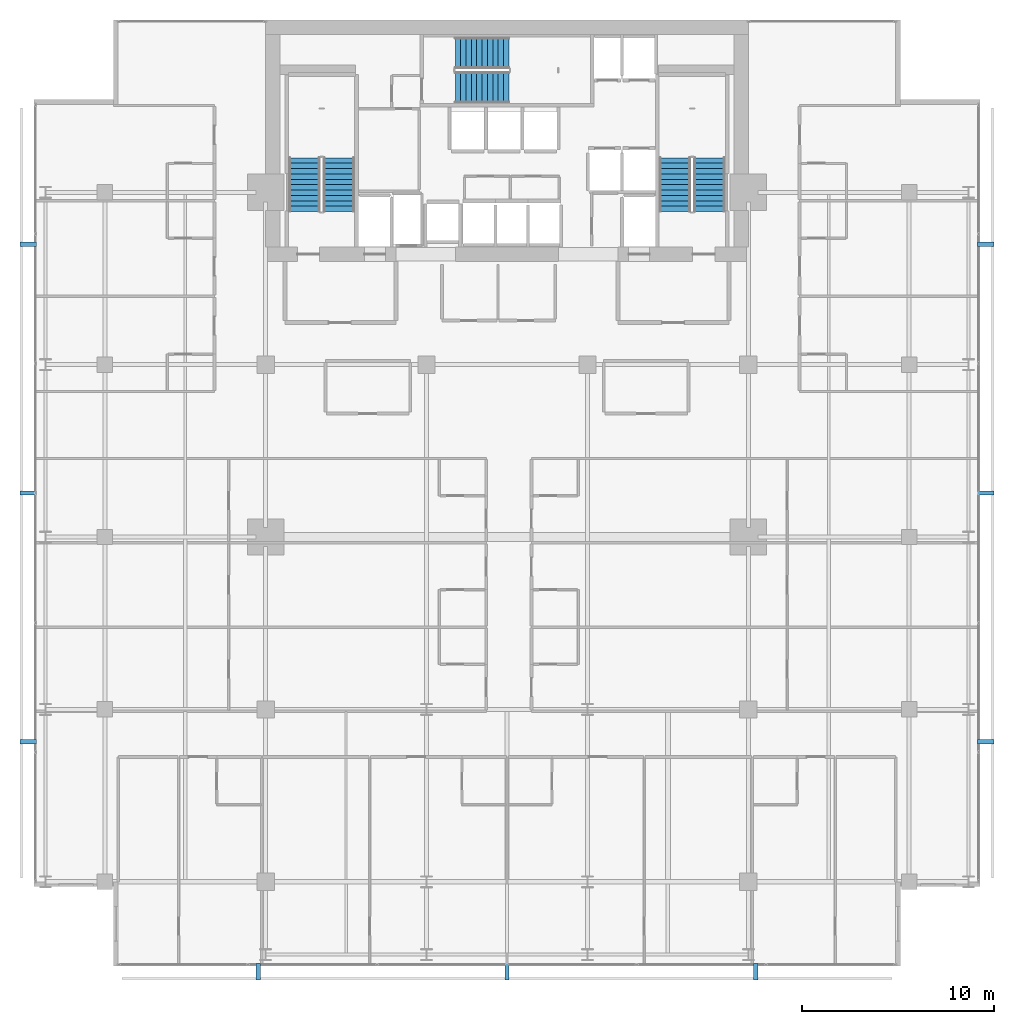
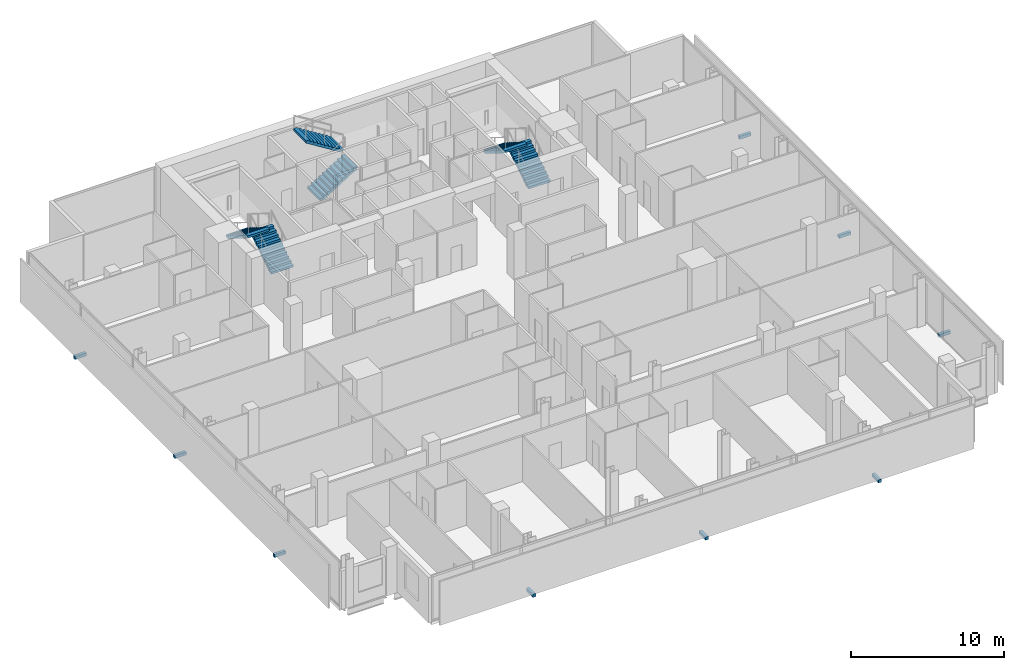
# One storey, part 32 of 34: 9 discrete accessories, 6 stair flights, 3 elements without a shape of their own.
"""IFC4 building model written with IfcOpenShell, lengths in metres."""

from ifc_helpers import new_model, si_unit, direction, frame, origin, origin_2d, place, context, subcontext, project, spatial, polyline, rectangle, outline, extrude, material, type_object, element, aggregate, save


model = new_model("IFC4")

# Units and contexts
model_context = context("Model", 3, precision=1e-05, world=origin(), true_north=direction((0.0, 1.0)))
body_context = subcontext(model_context, "Body", "Model", "MODEL_VIEW")
ifc_project = project(units=[si_unit("LENGTHUNIT", "METRE"), si_unit("AREAUNIT", "SQUARE_METRE"), si_unit("VOLUMEUNIT", "CUBIC_METRE"), si_unit("PLANEANGLEUNIT", "RADIAN"), si_unit("MASSUNIT", "GRAM", prefix="KILO")], contexts=[model_context])

# Site, building, storey
site_placement = place(None, origin())
site = spatial("IfcSite", under=ifc_project, at=site_placement, CompositionType="ELEMENT")
building_placement = place(site_placement, origin())
building = spatial("IfcBuilding", under=site, at=building_placement, Name="Maruvema Waterfront Hotel and Observation Tower", CompositionType="ELEMENT")
storey_placement = place(building_placement, frame((0.0, 0.0, 215.949951171875)))
storey = spatial("IfcBuildingStorey", under=building, at=storey_placement, Name="L53", CompositionType="ELEMENT", Elevation=215.949951171875)

# Stair, stair flights
ifc_material_1 = material(Name="Concrete C50/60", Category="concrete")
stair_type = type_object("IfcStairType", Name="Dogleg Exit Stair 1650 mm (22R x 175.0 mm)", PredefinedType="HALF_TURN_STAIR", material=ifc_material_1)
stair_1_placement = place(storey_placement, origin())
stair_1 = element("IfcStair", 1, at=stair_1_placement, inside=storey, type_object=stair_type, Name="L53 ST-01", PredefinedType="HALF_TURN_STAIR")
ifc_material_2 = material(Name="Concrete C50/60", Category="concrete")
stair_flight_type = type_object("IfcStairFlightType", Name="Reinforced Concrete Stair Flight 1650 mm (11R x 175.0 mm)", PredefinedType="STRAIGHT", material=ifc_material_2)
stair_flight_1_placement = place(storey_placement, frame((29.02490234375, 44.0, 0.0), z_axis=(0.0, 0.0, 1.0), x_axis=(0.0, 1.0, 0.0)))
stair_flight_1 = element("IfcStairFlight", 2, at=stair_flight_1_placement, type_object=stair_flight_type, Name="ST-01 flight 1", NumberOfRisers=11, NumberOfTreads=10, PredefinedType="STRAIGHT", RiserHeight=0.175, TreadLength=0.28, context=body_context, shape_type="SweptSolid", body=[
    extrude(outline(polyline([(0.0, 0.0), (0.0, 0.175048828125), (0.280029296875, 0.175048828125), (0.280029296875, 0.35009765625), (0.56005859375, 0.35009765625), (0.56005859375, 0.52490234375), (0.840087890625, 0.52490234375), (0.840087890625, 0.699951171875), (1.1201171875, 0.699951171875), (1.1201171875, 0.875), (1.39990234375, 0.875), (1.39990234375, 1.050048828125), (1.679931640625, 1.050048828125), (1.679931640625, 1.22509765625), (1.9599609375, 1.22509765625), (1.9599609375, 1.39990234375), (2.239990234375, 1.39990234375), (2.239990234375, 1.574951171875), (2.52001953125, 1.574951171875), (2.52001953125, 1.75), (2.800048828125, 1.75), (2.800048828125, 1.925048828125), (2.800048828125, 1.5732421875), (0.28271484375, 0.0), (0.0, 0.0)])), frame((0.0, 0.824951171875, 0.0), z_axis=(0.0, -1.0, 0.0), x_axis=(1.0, 0.0, 0.0)), (0.0, 0.0, 1.0), 1.64990234375),
])
stair_flight_2_placement = place(storey_placement, frame((27.22509765625, 46.800048828125, 1.925048828125), z_axis=(0.0, 0.0, 1.0), x_axis=(0.0, -1.0, 0.0)))
stair_flight_2 = element("IfcStairFlight", 3, at=stair_flight_2_placement, type_object=stair_flight_type, Name="ST-01 flight 2", NumberOfRisers=11, NumberOfTreads=10, PredefinedType="STRAIGHT", RiserHeight=0.175, TreadLength=0.28, context=body_context, shape_type="SweptSolid", body=[
    extrude(outline(polyline([(0.0, 0.0), (0.0, 0.175048828125), (0.280029296875, 0.175048828125), (0.280029296875, 0.35009765625), (0.56005859375, 0.35009765625), (0.56005859375, 0.52490234375), (0.840087890625, 0.52490234375), (0.840087890625, 0.699951171875), (1.1201171875, 0.699951171875), (1.1201171875, 0.875), (1.39990234375, 0.875), (1.39990234375, 1.050048828125), (1.679931640625, 1.050048828125), (1.679931640625, 1.22509765625), (1.9599609375, 1.22509765625), (1.9599609375, 1.39990234375), (2.239990234375, 1.39990234375), (2.239990234375, 1.574951171875), (2.52001953125, 1.574951171875), (2.52001953125, 1.75), (2.800048828125, 1.75), (2.800048828125, 1.925048828125), (2.800048828125, 1.5732421875), (0.28271484375, 0.0), (0.0, 0.0)])), frame((0.0, 0.824951171875, 0.0), z_axis=(0.0, -1.0, 0.0), x_axis=(1.0, 0.0, 0.0)), (0.0, 0.0, 1.0), 1.64990234375),
])
aggregate(stair_1, [stair_flight_1, stair_flight_2])

stair_2_placement = place(storey_placement, origin())
stair_2 = element("IfcStair", 4, at=stair_2_placement, inside=storey, type_object=stair_type, Name="L53 ST-02", PredefinedType="HALF_TURN_STAIR")
stair_flight_3_placement = place(storey_placement, frame((35.10009765625, 50.47509765625, 0.0), z_axis=(0.0, 0.0, 1.0), x_axis=(1.0, 0.0, 0.0)))
stair_flight_3 = element("IfcStairFlight", 5, at=stair_flight_3_placement, type_object=stair_flight_type, Name="ST-02 flight 1", NumberOfRisers=11, NumberOfTreads=10, PredefinedType="STRAIGHT", RiserHeight=0.175, TreadLength=0.28, context=body_context, shape_type="SweptSolid", body=[
    extrude(outline(polyline([(0.0, 0.0), (0.0, 0.175048828125), (0.280029296875, 0.175048828125), (0.280029296875, 0.35009765625), (0.56005859375, 0.35009765625), (0.56005859375, 0.52490234375), (0.840087890625, 0.52490234375), (0.840087890625, 0.699951171875), (1.1201171875, 0.699951171875), (1.1201171875, 0.875), (1.39990234375, 0.875), (1.39990234375, 1.050048828125), (1.679931640625, 1.050048828125), (1.679931640625, 1.22509765625), (1.9599609375, 1.22509765625), (1.9599609375, 1.39990234375), (2.239990234375, 1.39990234375), (2.239990234375, 1.574951171875), (2.52001953125, 1.574951171875), (2.52001953125, 1.75), (2.800048828125, 1.75), (2.800048828125, 1.925048828125), (2.800048828125, 1.5732421875), (0.28271484375, 0.0), (0.0, 0.0)])), frame((0.0, 0.824951171875, 0.0), z_axis=(0.0, -1.0, 0.0), x_axis=(1.0, 0.0, 0.0)), (0.0, 0.0, 1.0), 1.64990234375),
])
stair_flight_4_placement = place(storey_placement, frame((37.89990234375, 52.27490234375, 1.925048828125), z_axis=(0.0, 0.0, 1.0), x_axis=(-1.0, 0.0, 0.0)))
stair_flight_4 = element("IfcStairFlight", 6, at=stair_flight_4_placement, type_object=stair_flight_type, Name="ST-02 flight 2", NumberOfRisers=11, NumberOfTreads=10, PredefinedType="STRAIGHT", RiserHeight=0.175, TreadLength=0.28, context=body_context, shape_type="SweptSolid", body=[
    extrude(outline(polyline([(0.0, 0.0), (0.0, 0.175048828125), (0.280029296875, 0.175048828125), (0.280029296875, 0.35009765625), (0.56005859375, 0.35009765625), (0.56005859375, 0.52490234375), (0.840087890625, 0.52490234375), (0.840087890625, 0.699951171875), (1.1201171875, 0.699951171875), (1.1201171875, 0.875), (1.39990234375, 0.875), (1.39990234375, 1.050048828125), (1.679931640625, 1.050048828125), (1.679931640625, 1.22509765625), (1.9599609375, 1.22509765625), (1.9599609375, 1.39990234375), (2.239990234375, 1.39990234375), (2.239990234375, 1.574951171875), (2.52001953125, 1.574951171875), (2.52001953125, 1.75), (2.800048828125, 1.75), (2.800048828125, 1.925048828125), (2.800048828125, 1.5732421875), (0.28271484375, 0.0), (0.0, 0.0)])), frame((0.0, 0.824951171875, 0.0), z_axis=(0.0, -1.0, 0.0), x_axis=(1.0, 0.0, 0.0)), (0.0, 0.0, 1.0), 1.64990234375),
])
aggregate(stair_2, [stair_flight_3, stair_flight_4])

stair_3_placement = place(storey_placement, origin())
stair_3 = element("IfcStair", 7, at=stair_3_placement, inside=storey, type_object=stair_type, Name="L53 ST-03", PredefinedType="HALF_TURN_STAIR")
stair_flight_5_placement = place(storey_placement, frame((48.375, 44.0, 0.0), z_axis=(0.0, 0.0, 1.0), x_axis=(0.0, 1.0, 0.0)))
stair_flight_5 = element("IfcStairFlight", 8, at=stair_flight_5_placement, type_object=stair_flight_type, Name="ST-03 flight 1", NumberOfRisers=11, NumberOfTreads=10, PredefinedType="STRAIGHT", RiserHeight=0.175, TreadLength=0.28, context=body_context, shape_type="SweptSolid", body=[
    extrude(outline(polyline([(0.0, 0.0), (0.0, 0.175048828125), (0.280029296875, 0.175048828125), (0.280029296875, 0.35009765625), (0.56005859375, 0.35009765625), (0.56005859375, 0.52490234375), (0.840087890625, 0.52490234375), (0.840087890625, 0.699951171875), (1.1201171875, 0.699951171875), (1.1201171875, 0.875), (1.39990234375, 0.875), (1.39990234375, 1.050048828125), (1.679931640625, 1.050048828125), (1.679931640625, 1.22509765625), (1.9599609375, 1.22509765625), (1.9599609375, 1.39990234375), (2.239990234375, 1.39990234375), (2.239990234375, 1.574951171875), (2.52001953125, 1.574951171875), (2.52001953125, 1.75), (2.800048828125, 1.75), (2.800048828125, 1.925048828125), (2.800048828125, 1.5732421875), (0.28271484375, 0.0), (0.0, 0.0)])), frame((0.0, 0.824951171875, 0.0), z_axis=(0.0, -1.0, 0.0), x_axis=(1.0, 0.0, 0.0)), (0.0, 0.0, 1.0), 1.64990234375),
])
stair_flight_6_placement = place(storey_placement, frame((46.574951171875, 46.800048828125, 1.925048828125), z_axis=(0.0, 0.0, 1.0), x_axis=(0.0, -1.0, 0.0)))
stair_flight_6 = element("IfcStairFlight", 9, at=stair_flight_6_placement, type_object=stair_flight_type, Name="ST-03 flight 2", NumberOfRisers=11, NumberOfTreads=10, PredefinedType="STRAIGHT", RiserHeight=0.175, TreadLength=0.28, context=body_context, shape_type="SweptSolid", body=[
    extrude(outline(polyline([(0.0, 0.0), (0.0, 0.175048828125), (0.280029296875, 0.175048828125), (0.280029296875, 0.35009765625), (0.56005859375, 0.35009765625), (0.56005859375, 0.52490234375), (0.840087890625, 0.52490234375), (0.840087890625, 0.699951171875), (1.1201171875, 0.699951171875), (1.1201171875, 0.875), (1.39990234375, 0.875), (1.39990234375, 1.050048828125), (1.679931640625, 1.050048828125), (1.679931640625, 1.22509765625), (1.9599609375, 1.22509765625), (1.9599609375, 1.39990234375), (2.239990234375, 1.39990234375), (2.239990234375, 1.574951171875), (2.52001953125, 1.574951171875), (2.52001953125, 1.75), (2.800048828125, 1.75), (2.800048828125, 1.925048828125), (2.800048828125, 1.5732421875), (0.28271484375, 0.0), (0.0, 0.0)])), frame((0.0, 0.824951171875, 0.0), z_axis=(0.0, -1.0, 0.0), x_axis=(1.0, 0.0, 0.0)), (0.0, 0.0, 1.0), 1.64990234375),
])
aggregate(stair_3, [stair_flight_5, stair_flight_6])

# Discrete accessories
ifc_material_3 = material(Name="Duplex stainless steel Grade 2205", Category="steel")
discrete_accessory_type = type_object("IfcDiscreteAccessoryType", Name="Double-Skin Cavity Stainless Outrigger Bracket", PredefinedType="BRACKET", material=ifc_material_3)
for number, where, z_axis, x_axis, name in (
    (10, (24.80810546875, 4.300048828125, -0.14013671875), (0.0, 0.0, 1.0), (1.0, 0.0, 0.0), "L53 Outer Skin Support Bracket 1"),
    (11, (37.800048828125, 4.300048828125, -0.14013671875), (0.0, 0.0, 1.0), (1.0, 0.0, 0.0), "L53 Outer Skin Support Bracket 2"),
    (12, (50.7919921875, 4.300048828125, -0.14013671875), (0.0, 0.0, 1.0), (1.0, 0.0, 0.0), "L53 Outer Skin Support Bracket 3"),
    (13, (62.800048828125, 16.30810546875, -0.14013671875), (0.0, 0.0, 1.0), (0.0, 1.0, 0.0), "L53 Outer Skin Support Bracket 1"),
    (14, (62.800048828125, 29.300048828125, -0.14013671875), (0.0, 0.0, 1.0), (0.0, 1.0, 0.0), "L53 Outer Skin Support Bracket 2"),
    (15, (62.800048828125, 42.2919921875, -0.14013671875), (0.0, 0.0, 1.0), (0.0, 1.0, 0.0), "L53 Outer Skin Support Bracket 3"),
    (16, (12.800048828125, 42.2919921875, -0.14013671875), (0.0, 0.0, 1.0), (0.0, -1.0, 0.0), "L53 Outer Skin Support Bracket 1"),
    (17, (12.800048828125, 29.300048828125, -0.14013671875), (0.0, 0.0, 1.0), (0.0, -1.0, 0.0), "L53 Outer Skin Support Bracket 2"),
    (18, (12.800048828125, 16.30810546875, -0.14013671875), (0.0, 0.0, 1.0), (0.0, -1.0, 0.0), "L53 Outer Skin Support Bracket 3"),
):
    element("IfcDiscreteAccessory", number, at=place(storey_placement, frame(where, z_axis=z_axis, x_axis=x_axis)), inside=storey, type_object=discrete_accessory_type, Name=name, PredefinedType="BRACKET", context=body_context, shape_type="SweptSolid", body=[
        extrude(rectangle(XDim=0.219970703125, YDim=0.860107421875, at=origin_2d()), origin(), (0.0, 0.0, 1.0), 0.239990234375),
    ])

save(model, "model.ifc")
